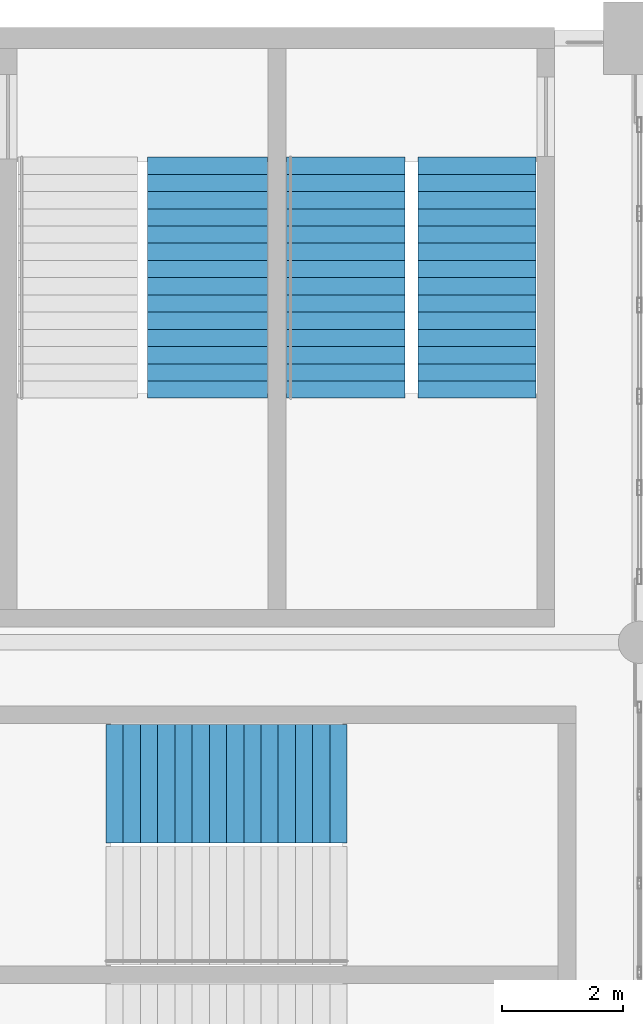
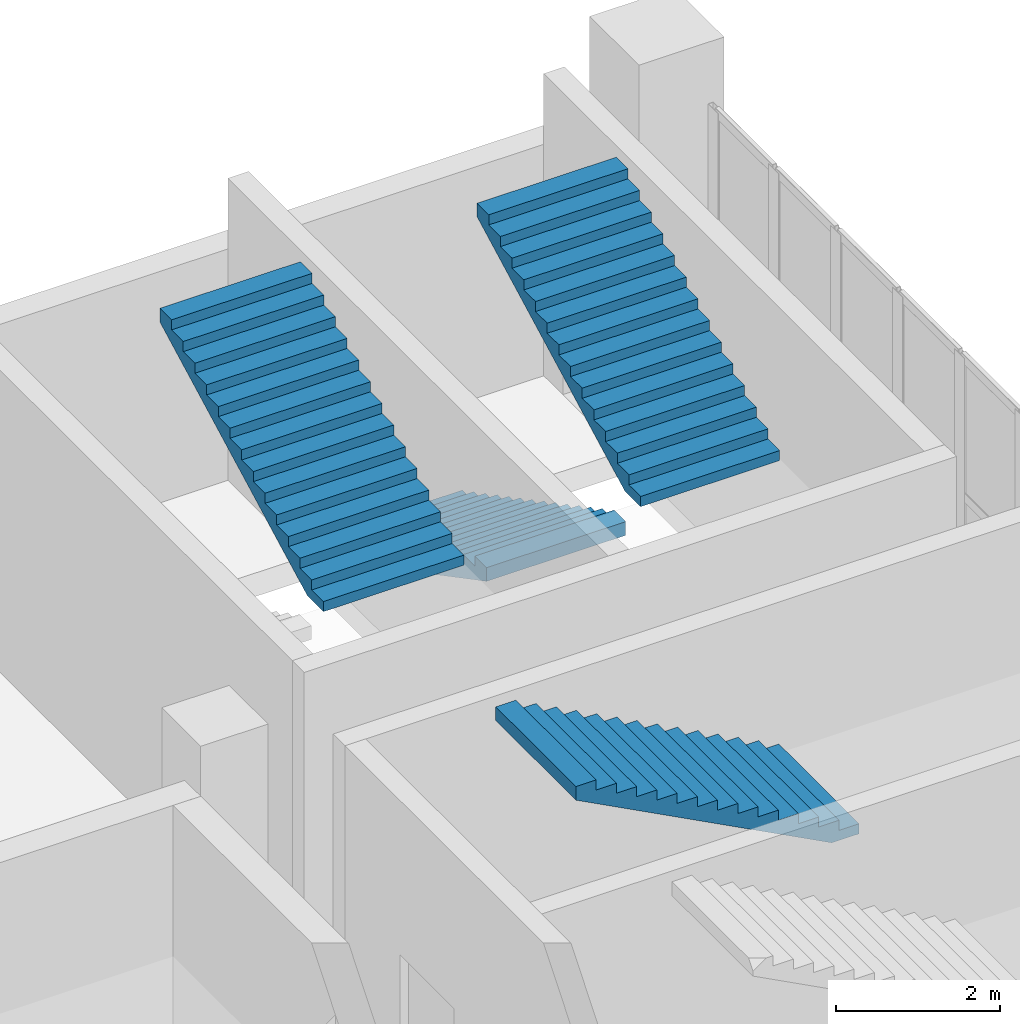
# One storey, part 73 of 90: 4 stair flights, 3 elements without a shape of their own.
"""IFC4 building model written with IfcOpenShell, lengths in metres."""

from ifc_helpers import new_model, si_unit, direction, frame, origin, place, context, subcontext, project, spatial, polyline, outline, extrude, material, layer, layer_set, type_object, element, aggregate, save


model = new_model("IFC4")

# Units and contexts
model_context = context("Model", 3, precision=1e-05, world=origin(), true_north=direction((0.0, 1.0)))
body_context = subcontext(model_context, "Body", "Model", "MODEL_VIEW")
ifc_project = project(units=[si_unit("LENGTHUNIT", "METRE"), si_unit("AREAUNIT", "SQUARE_METRE"), si_unit("VOLUMEUNIT", "CUBIC_METRE"), si_unit("PLANEANGLEUNIT", "RADIAN"), si_unit("MASSUNIT", "GRAM", prefix="KILO")], contexts=[model_context])

# Site, building, storey
site_placement = place(None, origin())
site = spatial("IfcSite", under=ifc_project, at=site_placement, CompositionType="ELEMENT")
building_placement = place(site_placement, origin())
building = spatial("IfcBuilding", under=site, at=building_placement, Name="Brinegate Civic Arena", CompositionType="ELEMENT")
storey_placement = place(building_placement, frame((0.0, 0.0, 14.699951171875)))
storey = spatial("IfcBuildingStorey", under=building, at=storey_placement, Name="L03", CompositionType="ELEMENT", Elevation=14.699951171875)

# Stair, stair flights
ifc_material = material(Name="Concrete C40/50", Category="concrete")
stair_type_1 = type_object("IfcStairType", Name="STAIR-EXIT-3700", PredefinedType="HALF_TURN_STAIR", material=ifc_material)
stair_1_placement = place(storey_placement, origin())
stair_1 = element("IfcStair", 1, at=stair_1_placement, inside=storey, type_object=stair_type_1, Name="Protected Exit Stair ST-05B (L03)", PredefinedType="HALF_TURN_STAIR")
ifc_layer_1 = layer(ifc_material, 0.179931640625, Name="Concrete C40/50")
ifc_layer_set_1 = layer_set([ifc_layer_1], Name="Concrete C40/50")
stair_flight_type_1 = type_object("IfcStairFlightType", Name="FLIGHT-EXIT-3700", PredefinedType="STRAIGHT", material=ifc_layer_set_1)
stair_flight_1_placement = place(storey_placement, frame((163.139892578125, 112.030029296875, 0.0), z_axis=(0.0, 0.0, 1.0), x_axis=(0.0, -1.0, 0.0)))
stair_flight_1 = element("IfcStairFlight", 2, at=stair_flight_1_placement, type_object=stair_flight_type_1, Name="ST-05B flight 1", NumberOfRisers=15, NumberOfTreads=14, PredefinedType="STRAIGHT", RiserHeight=0.15, TreadLength=0.285, context=body_context, shape_type="SweptSolid", body=[
    extrude(outline(polyline([(0.0, 0.0), (0.0, 0.14990234375), (0.284912109375, 0.14990234375), (0.284912109375, 0.300048828125), (0.570068359375, 0.300048828125), (0.570068359375, 0.449951171875), (0.85498046875, 0.449951171875), (0.85498046875, 0.60009765625), (1.139892578125, 0.60009765625), (1.139892578125, 0.75), (1.425048828125, 0.75), (1.425048828125, 0.89990234375), (1.7099609375, 0.89990234375), (1.7099609375, 1.050048828125), (1.9951171875, 1.050048828125), (1.9951171875, 1.199951171875), (2.280029296875, 1.199951171875), (2.280029296875, 1.35009765625), (2.56494140625, 1.35009765625), (2.56494140625, 1.5), (2.85009765625, 1.5), (2.85009765625, 1.64990234375), (3.135009765625, 1.64990234375), (3.135009765625, 1.800048828125), (3.419921875, 1.800048828125), (3.419921875, 1.949951171875), (3.705078125, 1.949951171875), (3.705078125, 2.10009765625), (3.989990234375, 2.10009765625), (3.989990234375, 2.25), (3.989990234375, 1.896728515625), (0.38623046875, 0.0), (0.0, 0.0)])), frame((0.0, 0.97998046875, 0.0), z_axis=(0.0, -1.0, 0.0), x_axis=(1.0, 0.0, 0.0)), (0.0, 0.0, 1.0), 1.9599609375),
])
stair_flight_2_placement = place(storey_placement, frame((165.31005859375, 108.0400390625, 2.25), z_axis=(0.0, 0.0, 1.0), x_axis=(0.0, 1.0, 0.0)))
stair_flight_2 = element("IfcStairFlight", 3, at=stair_flight_2_placement, type_object=stair_flight_type_1, Name="ST-05B flight 2", NumberOfRisers=15, NumberOfTreads=14, PredefinedType="STRAIGHT", RiserHeight=0.15, TreadLength=0.285, context=body_context, shape_type="SweptSolid", body=[
    extrude(outline(polyline([(0.0, 0.0), (0.0, 0.14990234375), (0.284912109375, 0.14990234375), (0.284912109375, 0.300048828125), (0.570068359375, 0.300048828125), (0.570068359375, 0.449951171875), (0.85498046875, 0.449951171875), (0.85498046875, 0.60009765625), (1.139892578125, 0.60009765625), (1.139892578125, 0.75), (1.425048828125, 0.75), (1.425048828125, 0.89990234375), (1.7099609375, 0.89990234375), (1.7099609375, 1.050048828125), (1.9951171875, 1.050048828125), (1.9951171875, 1.199951171875), (2.280029296875, 1.199951171875), (2.280029296875, 1.35009765625), (2.56494140625, 1.35009765625), (2.56494140625, 1.5), (2.85009765625, 1.5), (2.85009765625, 1.64990234375), (3.135009765625, 1.64990234375), (3.135009765625, 1.800048828125), (3.419921875, 1.800048828125), (3.419921875, 1.949951171875), (3.705078125, 1.949951171875), (3.705078125, 2.10009765625), (3.989990234375, 2.10009765625), (3.989990234375, 2.25), (3.989990234375, 1.896728515625), (0.38623046875, 0.0), (0.0, 0.0)])), frame((0.0, 0.97998046875, 0.0), z_axis=(0.0, -1.0, 0.0), x_axis=(1.0, 0.0, 0.0)), (0.0, 0.0, 1.0), 1.9599609375),
])
aggregate(stair_1, [stair_flight_1, stair_flight_2])

# Stair, stair flight
stair_2_placement = place(storey_placement, origin())
stair_2 = element("IfcStair", 4, at=stair_2_placement, inside=storey, type_object=stair_type_1, Name="Protected Exit Stair ST-20B (L03)", PredefinedType="HALF_TURN_STAIR")
stair_flight_3_placement = place(storey_placement, frame((163.159912109375, 101.659912109375, 2.25), z_axis=(0.0, 0.0, 1.0), x_axis=(-1.0, 0.0, 0.0)))
stair_flight_3 = element("IfcStairFlight", 5, at=stair_flight_3_placement, type_object=stair_flight_type_1, Name="ST-20B flight 2", NumberOfRisers=15, NumberOfTreads=14, PredefinedType="STRAIGHT", RiserHeight=0.15, TreadLength=0.285, context=body_context, shape_type="SweptSolid", body=[
    extrude(outline(polyline([(0.0, 0.0), (0.0, 0.14990234375), (0.284912109375, 0.14990234375), (0.284912109375, 0.300048828125), (0.570068359375, 0.300048828125), (0.570068359375, 0.449951171875), (0.85498046875, 0.449951171875), (0.85498046875, 0.60009765625), (1.139892578125, 0.60009765625), (1.139892578125, 0.75), (1.425048828125, 0.75), (1.425048828125, 0.89990234375), (1.7099609375, 0.89990234375), (1.7099609375, 1.050048828125), (1.9951171875, 1.050048828125), (1.9951171875, 1.199951171875), (2.280029296875, 1.199951171875), (2.280029296875, 1.35009765625), (2.56494140625, 1.35009765625), (2.56494140625, 1.5), (2.85009765625, 1.5), (2.85009765625, 1.64990234375), (3.135009765625, 1.64990234375), (3.135009765625, 1.800048828125), (3.419921875, 1.800048828125), (3.419921875, 1.949951171875), (3.705078125, 1.949951171875), (3.705078125, 2.10009765625), (3.989990234375, 2.10009765625), (3.989990234375, 2.25), (3.989990234375, 1.896728515625), (0.38623046875, 0.0), (0.0, 0.0)])), frame((0.0, 0.97998046875, 0.0), z_axis=(0.0, -1.0, 0.0), x_axis=(1.0, 0.0, 0.0)), (0.0, 0.0, 1.0), 1.9599609375),
])
aggregate(stair_2, [stair_flight_3])

stair_type_2 = type_object("IfcStairType", Name="STAIR-EXIT-3850", PredefinedType="HALF_TURN_STAIR", material=ifc_material)
stair_3_placement = place(storey_placement, origin())
stair_3 = element("IfcStair", 6, at=stair_3_placement, inside=storey, type_object=stair_type_2, Name="Protected Exit Stair ST-05A (L03)", PredefinedType="HALF_TURN_STAIR")
ifc_layer_2 = layer(ifc_material, 0.179931640625, Name="Concrete C40/50")
ifc_layer_set_2 = layer_set([ifc_layer_2], Name="Concrete C40/50")
stair_flight_type_2 = type_object("IfcStairFlightType", Name="FLIGHT-EXIT-3850", PredefinedType="STRAIGHT", material=ifc_layer_set_2)
stair_flight_4_placement = place(storey_placement, frame((160.85009765625, 108.0400390625, 2.25), z_axis=(0.0, 0.0, 1.0), x_axis=(0.0, 1.0, 0.0)))
stair_flight_4 = element("IfcStairFlight", 7, at=stair_flight_4_placement, type_object=stair_flight_type_2, Name="ST-05A flight 2", NumberOfRisers=15, NumberOfTreads=14, PredefinedType="STRAIGHT", RiserHeight=0.15, TreadLength=0.285, context=body_context, shape_type="SweptSolid", body=[
    extrude(outline(polyline([(0.0, 0.0), (0.0, 0.14990234375), (0.284912109375, 0.14990234375), (0.284912109375, 0.300048828125), (0.570068359375, 0.300048828125), (0.570068359375, 0.449951171875), (0.85498046875, 0.449951171875), (0.85498046875, 0.60009765625), (1.139892578125, 0.60009765625), (1.139892578125, 0.75), (1.425048828125, 0.75), (1.425048828125, 0.89990234375), (1.7099609375, 0.89990234375), (1.7099609375, 1.050048828125), (1.9951171875, 1.050048828125), (1.9951171875, 1.199951171875), (2.280029296875, 1.199951171875), (2.280029296875, 1.35009765625), (2.56494140625, 1.35009765625), (2.56494140625, 1.5), (2.85009765625, 1.5), (2.85009765625, 1.64990234375), (3.135009765625, 1.64990234375), (3.135009765625, 1.800048828125), (3.419921875, 1.800048828125), (3.419921875, 1.949951171875), (3.705078125, 1.949951171875), (3.705078125, 2.10009765625), (3.989990234375, 2.10009765625), (3.989990234375, 2.25), (3.989990234375, 1.896728515625), (0.38623046875, 0.0), (0.0, 0.0)])), frame((0.0, 0.989990234375, 0.0), z_axis=(0.0, -1.0, 0.0), x_axis=(1.0, 0.0, 0.0)), (0.0, 0.0, 1.0), 1.97998046875),
])
aggregate(stair_3, [stair_flight_4])

save(model, "model.ifc")
